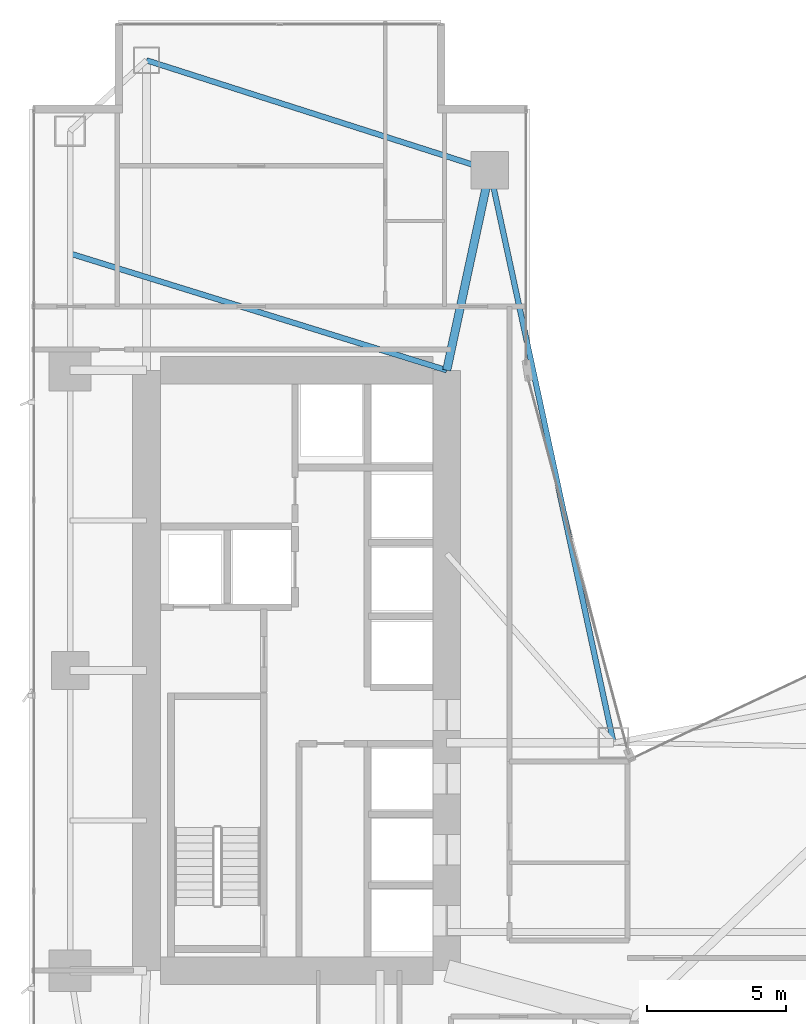
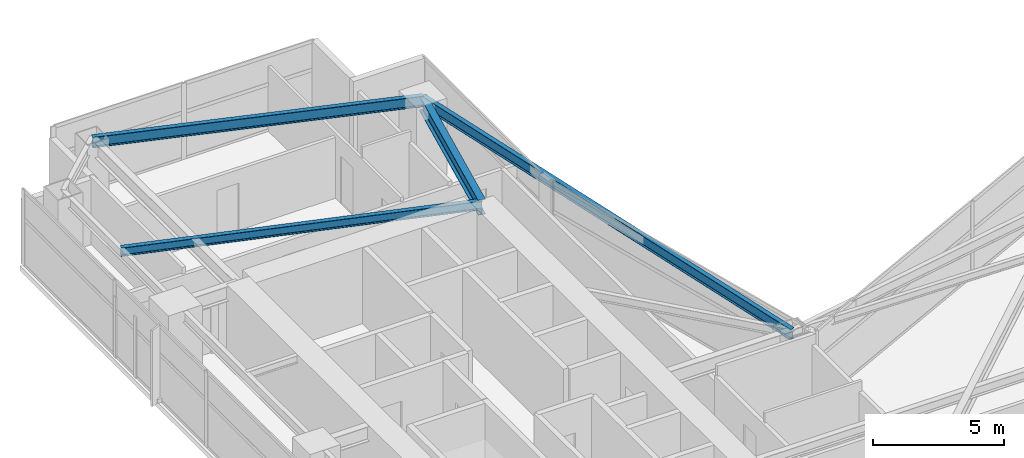
# One storey, part 17 of 30: 4 beams.
"""IFC4 building model written with IfcOpenShell, lengths in metres."""

from ifc_helpers import new_model, si_unit, direction, frame, origin, origin_2d, place, context, subcontext, project, spatial, i_section, extrude, material, material_profile, profile_set, type_object, element, save


model = new_model("IFC4")

# Units and contexts
model_context = context("Model", 3, precision=1e-05, world=origin(), true_north=direction((0.0, 1.0)))
body_context = subcontext(model_context, "Body", "Model", "MODEL_VIEW")
ifc_project = project(units=[si_unit("LENGTHUNIT", "METRE"), si_unit("AREAUNIT", "SQUARE_METRE"), si_unit("VOLUMEUNIT", "CUBIC_METRE"), si_unit("PLANEANGLEUNIT", "RADIAN"), si_unit("MASSUNIT", "GRAM", prefix="KILO")], contexts=[model_context])

# Site, building, storey
site_placement = place(None, origin())
site = spatial("IfcSite", under=ifc_project, at=site_placement, CompositionType="ELEMENT")
building_placement = place(site_placement, origin())
building = spatial("IfcBuilding", under=site, at=building_placement, Name="Calvorn Quay Hotel", CompositionType="ELEMENT")
storey_placement = place(building_placement, frame((0.0, 0.0, 30.800048828125)))
storey = spatial("IfcBuildingStorey", under=building, at=storey_placement, Name="L06", CompositionType="ELEMENT", Elevation=30.800048828125)

# Beams
ifc_material_1 = material(Name="Steel Q390GJC", Category="steel")
ifc_material_profile_1 = material_profile(ifc_material_1, i_section(OverallWidth=0.300048828125, OverallDepth=0.699951171875, WebThickness=0.012939453125, FlangeThickness=0.02392578125, FilletRadius=0.02392578125, at=origin_2d()), Name="HN700x300x13x24")
ifc_profile_set_1 = profile_set([ifc_material_profile_1], Name="Steel Q390GJC")
beam_type_1 = type_object("IfcBeamType", Name="BM-GIRD-MAIN", PredefinedType="BEAM", material=ifc_profile_set_1)
beam_1_placement = place(storey_placement, frame((16.550048828125, 45.60009765625, 3.18994140625), z_axis=(-0.210457140491, -0.97760308511, 0.0), x_axis=(0.97760308511, -0.210457140491, 0.0)))
element("IfcBeam", 1, at=beam_1_placement, inside=storey, type_object=beam_type_1, Name="Beam BG-L06-W6", PredefinedType="BEAM", context=body_context, shape_type="SweptSolid", body=[
    extrude(i_section(OverallWidth=0.300048828125, OverallDepth=0.699951171875, WebThickness=0.012939453125, FlangeThickness=0.02392578125, FilletRadius=0.02392578125, at=origin_2d()), origin(), (0.0, 0.0, 1.0), 7.365234375),
])
ifc_material_2 = material(Name="Steel Q355B", Category="steel")
ifc_material_profile_2 = material_profile(ifc_material_2, i_section(OverallWidth=0.199951171875, OverallDepth=0.39990234375, WebThickness=0.008056640625, FlangeThickness=0.012939453125, FilletRadius=0.01611328125, at=origin_2d()), Name="HN400x200x8x13")
ifc_profile_set_2 = profile_set([ifc_material_profile_2], Name="Steel Q355B")
beam_type_2 = type_object("IfcBeamType", Name="BM-JOIST-TYP", PredefinedType="JOIST", material=ifc_profile_set_2)
beam_2_placement = place(storey_placement, frame((1.449951171875, 42.60009765625, 3.33984375), z_axis=(0.955163702122, -0.296078202759, 0.0), x_axis=(0.296078202759, 0.955163702122, 0.0)))
element("IfcBeam", 2, at=beam_2_placement, inside=storey, type_object=beam_type_2, Name="Beam BJ-L06-W2", PredefinedType="JOIST", context=body_context, shape_type="SweptSolid", body=[
    extrude(i_section(OverallWidth=0.199951171875, OverallDepth=0.39990234375, WebThickness=0.008056640625, FlangeThickness=0.012939453125, FilletRadius=0.01611328125, at=origin_2d()), origin(), (0.0, 0.0, 1.0), 14.18603515625),
])
ifc_material_3 = material(Name="Steel Q355B", Category="steel")
ifc_material_profile_3 = material_profile(ifc_material_3, i_section(OverallWidth=0.199951171875, OverallDepth=0.5, WebThickness=0.010009765625, FlangeThickness=0.01611328125, FilletRadius=0.01611328125, at=origin_2d()), Name="HN500x200x10x16")
ifc_profile_set_3 = profile_set([ifc_material_profile_3], Name="Steel Q355B")
beam_type_3 = type_object("IfcBeamType", Name="BM-SPANDREL-Z1", PredefinedType="SPANDREL", material=ifc_profile_set_3)
beam_3_placement = place(storey_placement, frame((4.199951171875, 49.550048828125, 3.2900390625), z_axis=(0.952470702374, -0.304630203885, 0.0), x_axis=(0.304630203885, 0.952470702374, 0.0)))
element("IfcBeam", 3, at=beam_3_placement, inside=storey, type_object=beam_type_3, Name="Beam BSP-L06-W6", PredefinedType="SPANDREL", context=body_context, shape_type="SweptSolid", body=[
    extrude(i_section(OverallWidth=0.199951171875, OverallDepth=0.5, WebThickness=0.010009765625, FlangeThickness=0.01611328125, FilletRadius=0.01611328125, at=origin_2d()), origin(), (0.0, 0.0, 1.0), 12.96630859375),
])
beam_4_placement = place(storey_placement, frame((16.550048828125, 45.60009765625, 3.2900390625), z_axis=(0.211145848376, -0.977454567084, 0.0), x_axis=(0.977454567084, 0.211145848376, 0.0)))
element("IfcBeam", 4, at=beam_4_placement, inside=storey, type_object=beam_type_3, Name="Beam BSP-L06-W7", PredefinedType="SPANDREL", context=body_context, shape_type="SweptSolid", body=[
    extrude(i_section(OverallWidth=0.199951171875, OverallDepth=0.5, WebThickness=0.010009765625, FlangeThickness=0.01611328125, FilletRadius=0.01611328125, at=origin_2d()), origin(), (0.0, 0.0, 1.0), 21.0751953125),
])

save(model, "model.ifc")
